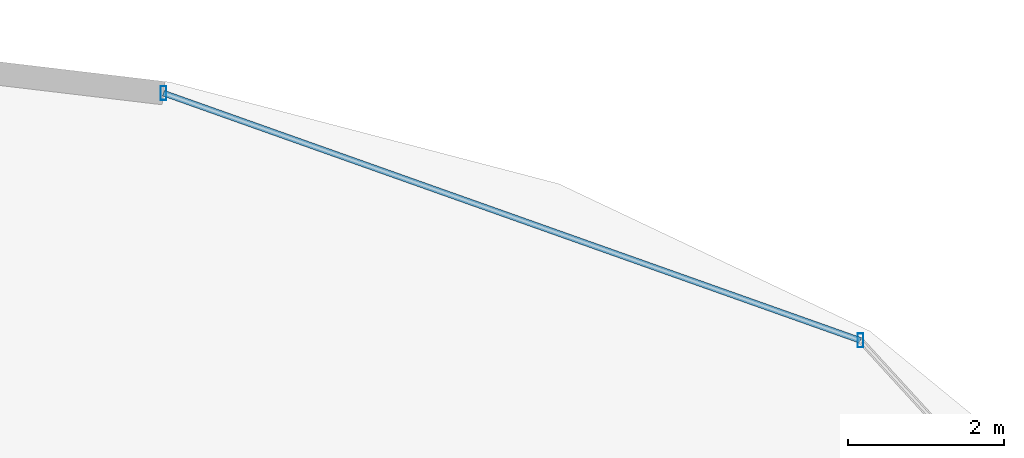
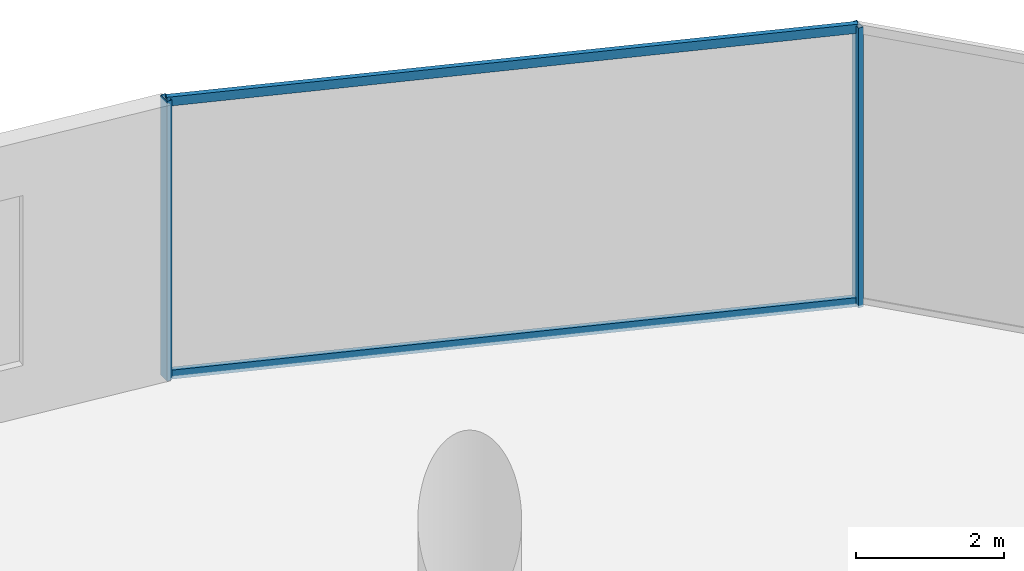
# One storey, part 21 of 32: 4 members, 1 element without a shape of its own.
"""IFC4 building model written with IfcOpenShell, lengths in metres."""

from ifc_helpers import new_model, si_unit, direction, frame, origin, origin_2d, place, context, subcontext, project, spatial, hollow_rectangle, extrude, material, material_profile, profile_set, type_object, element, aggregate, save


model = new_model("IFC4")

# Units and contexts
model_context = context("Model", 3, precision=1e-05, world=origin(), true_north=direction((0.0, 1.0)))
body_context = subcontext(model_context, "Body", "Model", "MODEL_VIEW")
ifc_project = project(units=[si_unit("LENGTHUNIT", "METRE"), si_unit("AREAUNIT", "SQUARE_METRE"), si_unit("VOLUMEUNIT", "CUBIC_METRE"), si_unit("PLANEANGLEUNIT", "RADIAN"), si_unit("MASSUNIT", "GRAM", prefix="KILO")], contexts=[model_context])

# Site, building, storey
site_placement = place(None, origin())
site = spatial("IfcSite", under=ifc_project, at=site_placement, CompositionType="ELEMENT")
building_placement = place(site_placement, origin())
building = spatial("IfcBuilding", under=site, at=building_placement, Name="Vorneva Point Tower", CompositionType="ELEMENT")
storey_placement = place(building_placement, frame((0.0, 0.0, 19.199951171875)))
storey = spatial("IfcBuildingStorey", under=building, at=storey_placement, Name="L04", CompositionType="ELEMENT", Elevation=19.199951171875)

# Curtain wall, members
ifc_material = material(Name="Pale anodised aluminium", Category="aluminium")
curtain_wall_type = type_object("IfcCurtainWallType", Name="CW-POD-SYS", PredefinedType="NOTDEFINED", material=ifc_material)
curtain_wall_placement = place(storey_placement, origin())
curtain_wall = element("IfcCurtainWall", 1, at=curtain_wall_placement, inside=storey, type_object=curtain_wall_type, Name="L04 Unitised Curtain Wall CW-L04-R01", PredefinedType="NOTDEFINED")
ifc_material_profile_1 = material_profile(ifc_material, hollow_rectangle(XDim=0.074951171875, YDim=0.179931640625, WallThickness=0.00390625, at=origin_2d()), Name="AL-MUL 180x75x4")
ifc_profile_set_1 = profile_set([ifc_material_profile_1], Name="Pale anodised aluminium")
member_type_1 = type_object("IfcMemberType", Name="CW-MUL-180", PredefinedType="MULLION", material=ifc_profile_set_1)
member_1_placement = place(storey_placement, frame((65.418701171875, 44.721923828125, -0.0400390625), z_axis=(0.0, 0.0, 1.0), x_axis=(1.0, 0.0, 0.0)))
member_1 = element("IfcMember", 2, at=member_1_placement, type_object=member_type_1, Name="CW-L04-R01 Mullion 05", PredefinedType="MULLION", context=body_context, shape_type="SweptSolid", body=[
    extrude(hollow_rectangle(XDim=0.074951171875, YDim=0.179931640625, WallThickness=0.00390625, at=origin_2d()), origin(), (0.0, 0.0, 1.0), 4.610107421875),
])
member_2_placement = place(storey_placement, frame((56.482421875, 47.892822265625, -0.0400390625), z_axis=(0.0, 0.0, 1.0), x_axis=(1.0, 0.0, 0.0)))
member_2 = element("IfcMember", 3, at=member_2_placement, type_object=member_type_1, Name="CW-L04-R01 Mullion 06", PredefinedType="MULLION", context=body_context, shape_type="SweptSolid", body=[
    extrude(hollow_rectangle(XDim=0.074951171875, YDim=0.179931640625, WallThickness=0.00390625, at=origin_2d()), origin(), (0.0, 0.0, 1.0), 4.610107421875),
])
ifc_material_profile_2 = material_profile(ifc_material, hollow_rectangle(XDim=0.074951171875, YDim=0.14990234375, WallThickness=0.00390625, at=origin_2d()), Name="AL-TRN 150x75x4")
ifc_profile_set_2 = profile_set([ifc_material_profile_2], Name="Pale anodised aluminium")
member_type_2 = type_object("IfcMemberType", Name="CW-TRN-150", PredefinedType="USERDEFINED", material=ifc_profile_set_2)
member_3_placement = place(storey_placement, frame((65.418701171875, 44.721923828125, 0.02001953125), z_axis=(-0.942429054256, 0.334406156782, 0.0), x_axis=(-0.334406156782, -0.942429054256, 0.0)))
member_3 = element("IfcMember", 4, at=member_3_placement, type_object=member_type_2, Name="CW-L04-R01 Transom 05.1", ObjectType="TRANSOM", PredefinedType="USERDEFINED", context=body_context, shape_type="SweptSolid", body=[
    extrude(hollow_rectangle(XDim=0.074951171875, YDim=0.14990234375, WallThickness=0.00390625, at=origin_2d()), origin(), (0.0, 0.0, 1.0), 9.482177734375),
])
member_4_placement = place(storey_placement, frame((65.418701171875, 44.721923828125, 4.52001953125), z_axis=(-0.942429054256, 0.334406156782, 0.0), x_axis=(-0.334406156782, -0.942429054256, 0.0)))
member_4 = element("IfcMember", 5, at=member_4_placement, type_object=member_type_2, Name="CW-L04-R01 Transom 05.2", ObjectType="TRANSOM", PredefinedType="USERDEFINED", context=body_context, shape_type="SweptSolid", body=[
    extrude(hollow_rectangle(XDim=0.074951171875, YDim=0.14990234375, WallThickness=0.00390625, at=origin_2d()), origin(), (0.0, 0.0, 1.0), 9.482177734375),
])
aggregate(curtain_wall, [member_1, member_2, member_3, member_4])

save(model, "model.ifc")
